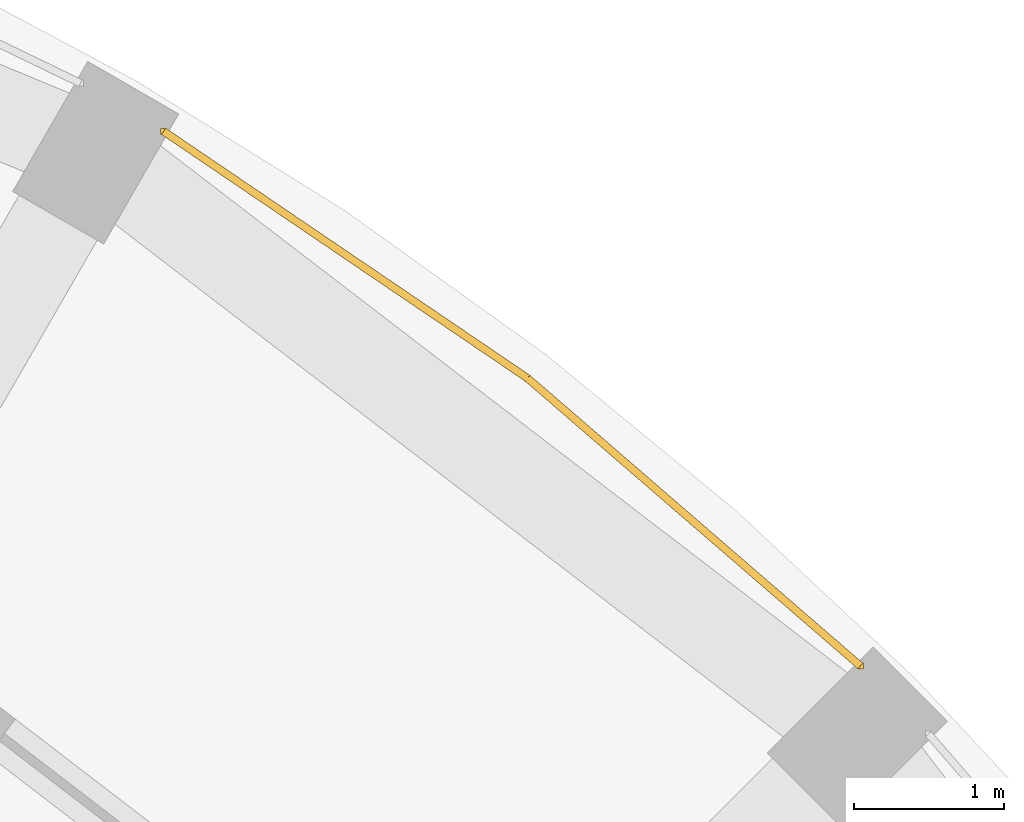
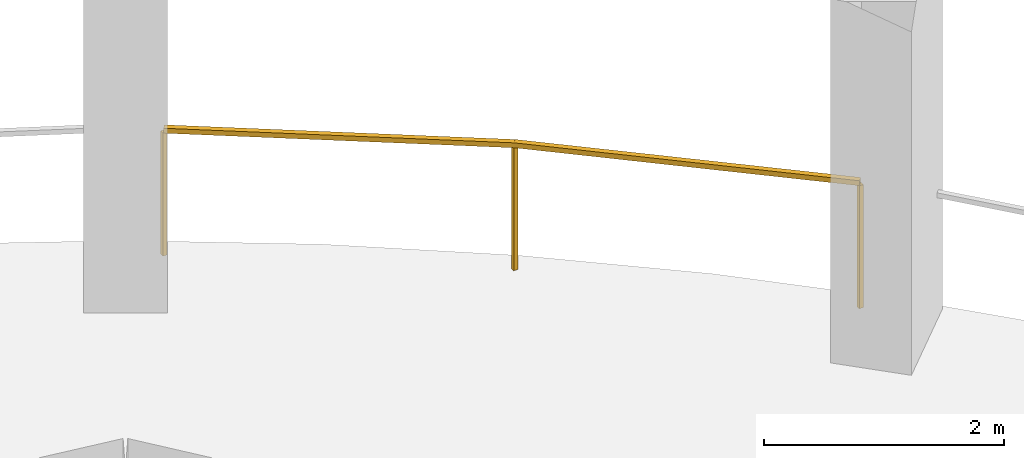
# One storey, part 9 of 9: 1 railing.
"""IFC4 building model written with IfcOpenShell, lengths in metres."""

from ifc_helpers import new_model, si_unit, direction, frame, origin, origin_2d, place, context, subcontext, project, spatial, rectangle, extrude, material, type_object, element, save


model = new_model("IFC4")

# Units and contexts
model_context = context("Model", 3, precision=1e-05, world=origin(), true_north=direction((0.0, 1.0)))
body_context = subcontext(model_context, "Body", "Model", "MODEL_VIEW")
ifc_project = project(units=[si_unit("LENGTHUNIT", "METRE"), si_unit("AREAUNIT", "SQUARE_METRE"), si_unit("VOLUMEUNIT", "CUBIC_METRE"), si_unit("PLANEANGLEUNIT", "RADIAN"), si_unit("MASSUNIT", "GRAM", prefix="KILO")], contexts=[model_context])

# Site, building, storey
site_placement = place(None, origin())
site = spatial("IfcSite", under=ifc_project, at=site_placement, CompositionType="ELEMENT")
building_placement = place(site_placement, origin())
building = spatial("IfcBuilding", under=site, at=building_placement, Name="Torre Triforio", CompositionType="ELEMENT")
storey_placement = place(building_placement, frame((0.0, 0.0, 264.89990234375)))
storey = spatial("IfcBuildingStorey", under=building, at=storey_placement, Name="L61", CompositionType="ELEMENT", Elevation=264.89990234375)

# Railing
ifc_material = material(Name="Stainless steel AISI 316", Category="steel")
railing_type = type_object("IfcRailingType", Name="Loggia guard 1300", PredefinedType="GUARDRAIL", material=ifc_material)
railing_placement = place(storey_placement, frame((17.34521484375, 17.7978515625, 0.0)))
element("IfcRailing", 1, at=railing_placement, inside=storey, type_object=railing_type, Name="Loggia guard L61 bay 04", PredefinedType="GUARDRAIL", context=body_context, shape_type="SweptSolid", body=[
    extrude(rectangle(XDim=0.050048828125, YDim=0.050048828125, at=origin_2d()), frame((0.0, 0.0, 1.27490234375), z_axis=(-0.756510170049, 0.653981928353, 0.0), x_axis=(-0.653981928353, -0.756510170049, 0.0)), (0.0, 0.0, 1.0), 2.93115234375),
    extrude(rectangle(XDim=0.050048828125, YDim=0.050048828125, at=origin_2d()), frame((-2.217529296875, 1.9169921875, 1.27490234375), z_axis=(-0.827499269821, 0.561466791934, 0.0), x_axis=(-0.561466791934, -0.827499269821, 0.0)), (0.0, 0.0, 1.0), 2.93115234375),
    extrude(rectangle(XDim=0.0400390625, YDim=0.0400390625, at=origin_2d()), origin(), (0.0, 0.0, 1.0), 1.25),
    extrude(rectangle(XDim=0.0400390625, YDim=0.0400390625, at=origin_2d()), frame((-2.217529296875, 1.9169921875, 0.0)), (0.0, 0.0, 1.0), 1.25),
    extrude(rectangle(XDim=0.0400390625, YDim=0.0400390625, at=origin_2d()), frame((-4.64306640625, 3.562744140625, 0.0)), (0.0, 0.0, 1.0), 1.25),
])

save(model, "model.ifc")
